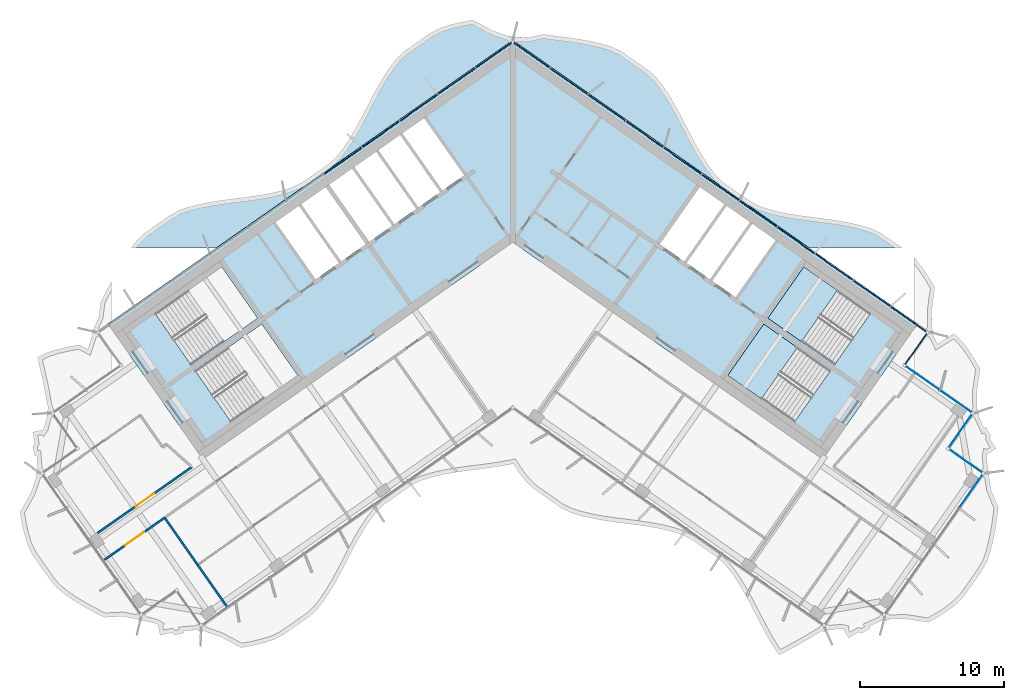
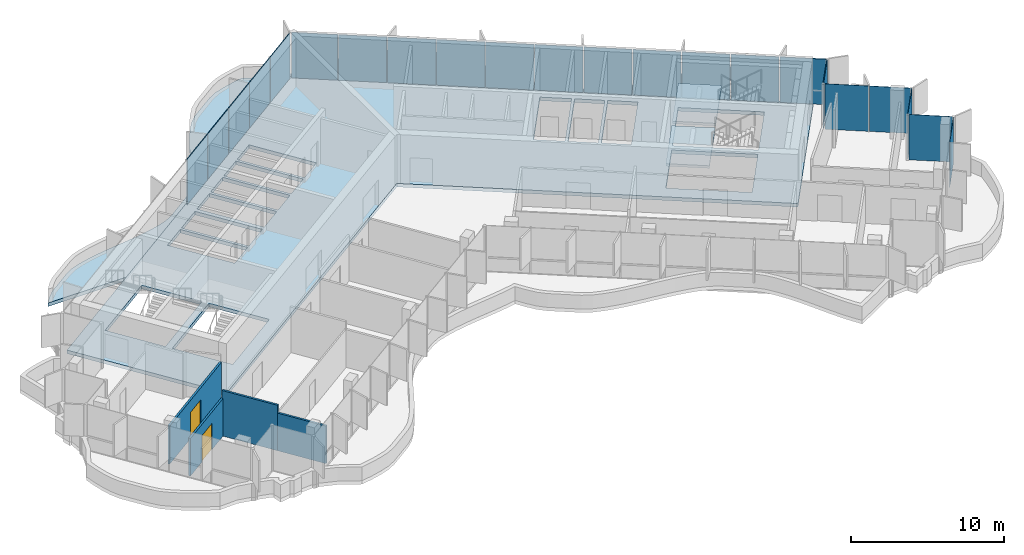
# One storey, part 10 of 20: 22 plates, 4 slabs, 4 walls, 2 doors, 2 openings, 4 elements without a shape of their own.
"""IFC4 building model written with IfcOpenShell, lengths in metres."""

from ifc_helpers import new_model, si_unit, direction, frame, frame_2d, origin, origin_2d, place, context, subcontext, project, spatial, polyline, rectangle, outline, extrude, material, layer, layer_set, type_object, element, fill, aggregate, save


model = new_model("IFC4")

# Units and contexts
model_context = context("Model", 3, precision=1e-05, world=origin(), true_north=direction((0.0, 1.0)))
body_context = subcontext(model_context, "Body", "Model", "MODEL_VIEW")
ifc_project = project(units=[si_unit("LENGTHUNIT", "METRE"), si_unit("AREAUNIT", "SQUARE_METRE"), si_unit("VOLUMEUNIT", "CUBIC_METRE"), si_unit("PLANEANGLEUNIT", "RADIAN"), si_unit("MASSUNIT", "GRAM", prefix="KILO")], contexts=[model_context])

# Site, building, storey
site_placement = place(None, origin())
site = spatial("IfcSite", under=ifc_project, at=site_placement, CompositionType="ELEMENT")
building_placement = place(site_placement, origin())
building = spatial("IfcBuilding", under=site, at=building_placement, Name="Tel Ilan Convention Tower", CompositionType="ELEMENT")
storey_placement = place(building_placement, frame((0.0, 0.0, 233.199951171875)))
storey = spatial("IfcBuildingStorey", under=building, at=storey_placement, Name="L54", CompositionType="ELEMENT", Elevation=233.199951171875)

# Curtain wall, plates
ifc_material_1 = material(Name="Aluminium, bronze anodised", Category="aluminium")
curtain_wall_type_1 = type_object("IfcCurtainWallType", Name="CW2 STICK CURTAIN WALL, SPANDREL PANELS", PredefinedType="NOTDEFINED", material=ifc_material_1)
curtain_wall_1_placement = place(storey_placement, origin())
curtain_wall_1 = element("IfcCurtainWall", 1, at=curtain_wall_1_placement, inside=storey, type_object=curtain_wall_type_1, Name="Curtain wall CW2-42.01", PredefinedType="NOTDEFINED")
ifc_material_2 = material(Name="Aluminium composite panel, bronze anodised", Category="aluminium")
ifc_layer_1 = layer(ifc_material_2, 0.06005859375)
ifc_layer_set_1 = layer_set([ifc_layer_1], Name="CW SPANDREL PANEL 60")
plate_type_1 = type_object("IfcPlateType", Name="CW SPANDREL PANEL 60", PredefinedType="CURTAIN_PANEL", material=ifc_layer_set_1)
plate_1_placement = place(storey_placement, frame((28.033935546875, -8.60546875, 0.0), z_axis=(0.0, 0.0, 1.0), x_axis=(0.573576436351, 0.819152044289, 0.0)))
plate_1 = element("IfcPlate", 2, at=plate_1_placement, type_object=plate_type_1, Name="Spandrel panel", PredefinedType="CURTAIN_PANEL", context=body_context, shape_type="SweptSolid", body=[
    extrude(rectangle(XDim=2.658935546875, YDim=0.06005859375, at=origin_2d()), origin(), (0.0, 0.0, 1.0), 3.6201171875),
])
plate_2_placement = place(storey_placement, frame((27.5400390625, -6.587646484375, 0.0), z_axis=(0.0, 0.0, 1.0), x_axis=(-0.819152044289, 0.573576436351, 0.0)))
plate_2 = element("IfcPlate", 3, at=plate_2_placement, type_object=plate_type_1, Name="Spandrel panel", PredefinedType="CURTAIN_PANEL", context=body_context, shape_type="SweptSolid", body=[
    extrude(rectangle(XDim=3.0439453125, YDim=0.06005859375, at=origin_2d()), origin(), (0.0, 0.0, 1.0), 3.6201171875),
])
plate_3_placement = place(storey_placement, frame((24.95263671875, -4.77587890625, 0.0), z_axis=(0.0, 0.0, 1.0), x_axis=(-0.819152044289, 0.573576436351, 0.0)))
plate_3 = element("IfcPlate", 4, at=plate_3_placement, type_object=plate_type_1, Name="Spandrel panel", PredefinedType="CURTAIN_PANEL", context=body_context, shape_type="SweptSolid", body=[
    extrude(rectangle(XDim=3.15380859375, YDim=0.06005859375, at=origin_2d()), origin(), (0.0, 0.0, 1.0), 3.6201171875),
])
plate_4_placement = place(storey_placement, frame((22.31982421875, -2.9326171875, 0.0), z_axis=(0.0, 0.0, 1.0), x_axis=(-0.819152044289, 0.573576436351, 0.0)))
plate_4 = element("IfcPlate", 5, at=plate_4_placement, type_object=plate_type_1, Name="Spandrel panel", PredefinedType="CURTAIN_PANEL", context=body_context, shape_type="SweptSolid", body=[
    extrude(rectangle(XDim=3.15380859375, YDim=0.06005859375, at=origin_2d()), origin(), (0.0, 0.0, 1.0), 3.6201171875),
])
plate_5_placement = place(storey_placement, frame((19.687255859375, -1.089111328125, 0.0), z_axis=(0.0, 0.0, 1.0), x_axis=(-0.819152044289, 0.573576436351, 0.0)))
plate_5 = element("IfcPlate", 6, at=plate_5_placement, type_object=plate_type_1, Name="Spandrel panel", PredefinedType="CURTAIN_PANEL", context=body_context, shape_type="SweptSolid", body=[
    extrude(rectangle(XDim=3.15380859375, YDim=0.06005859375, at=origin_2d()), origin(), (0.0, 0.0, 1.0), 3.6201171875),
])
plate_6_placement = place(storey_placement, frame((17.0546875, 0.754150390625, 0.0), z_axis=(0.0, 0.0, 1.0), x_axis=(-0.819152044289, 0.573576436351, 0.0)))
plate_6 = element("IfcPlate", 7, at=plate_6_placement, type_object=plate_type_1, Name="Spandrel panel", PredefinedType="CURTAIN_PANEL", context=body_context, shape_type="SweptSolid", body=[
    extrude(rectangle(XDim=3.15380859375, YDim=0.06005859375, at=origin_2d()), origin(), (0.0, 0.0, 1.0), 3.6201171875),
])
plate_7_placement = place(storey_placement, frame((14.422119140625, 2.59765625, 0.0), z_axis=(0.0, 0.0, 1.0), x_axis=(-0.819152044289, 0.573576436351, 0.0)))
plate_7 = element("IfcPlate", 8, at=plate_7_placement, type_object=plate_type_1, Name="Spandrel panel", PredefinedType="CURTAIN_PANEL", context=body_context, shape_type="SweptSolid", body=[
    extrude(rectangle(XDim=3.15380859375, YDim=0.06005859375, at=origin_2d()), origin(), (0.0, 0.0, 1.0), 3.6201171875),
])
plate_8_placement = place(storey_placement, frame((11.789306640625, 4.44091796875, 0.0), z_axis=(0.0, 0.0, 1.0), x_axis=(-0.819152044289, 0.573576436351, 0.0)))
plate_8 = element("IfcPlate", 9, at=plate_8_placement, type_object=plate_type_1, Name="Spandrel panel", PredefinedType="CURTAIN_PANEL", context=body_context, shape_type="SweptSolid", body=[
    extrude(rectangle(XDim=3.15380859375, YDim=0.06005859375, at=origin_2d()), origin(), (0.0, 0.0, 1.0), 3.6201171875),
])
plate_9_placement = place(storey_placement, frame((9.15673828125, 6.284423828125, 0.0), z_axis=(0.0, 0.0, 1.0), x_axis=(-0.819152044289, 0.573576436351, 0.0)))
plate_9 = element("IfcPlate", 10, at=plate_9_placement, type_object=plate_type_1, Name="Spandrel panel", PredefinedType="CURTAIN_PANEL", context=body_context, shape_type="SweptSolid", body=[
    extrude(rectangle(XDim=3.15380859375, YDim=0.06005859375, at=origin_2d()), origin(), (0.0, 0.0, 1.0), 3.6201171875),
])
plate_10_placement = place(storey_placement, frame((6.524169921875, 8.127685546875, 0.0), z_axis=(0.0, 0.0, 1.0), x_axis=(-0.819152044289, 0.573576436351, 0.0)))
plate_10 = element("IfcPlate", 11, at=plate_10_placement, type_object=plate_type_1, Name="Spandrel panel", PredefinedType="CURTAIN_PANEL", context=body_context, shape_type="SweptSolid", body=[
    extrude(rectangle(XDim=3.15380859375, YDim=0.06005859375, at=origin_2d()), origin(), (0.0, 0.0, 1.0), 3.6201171875),
])
plate_11_placement = place(storey_placement, frame((3.8916015625, 9.97119140625, 0.0), z_axis=(0.0, 0.0, 1.0), x_axis=(-0.819152044289, 0.573576436351, 0.0)))
plate_11 = element("IfcPlate", 12, at=plate_11_placement, type_object=plate_type_1, Name="Spandrel panel", PredefinedType="CURTAIN_PANEL", context=body_context, shape_type="SweptSolid", body=[
    extrude(rectangle(XDim=3.15380859375, YDim=0.06005859375, at=origin_2d()), origin(), (0.0, 0.0, 1.0), 3.6201171875),
])
plate_12_placement = place(storey_placement, frame((1.303955078125, 11.782958984375, 0.0), z_axis=(0.0, 0.0, 1.0), x_axis=(-0.819152044289, 0.573576436351, 0.0)))
plate_12 = element("IfcPlate", 13, at=plate_12_placement, type_object=plate_type_1, Name="Spandrel panel", PredefinedType="CURTAIN_PANEL", context=body_context, shape_type="SweptSolid", body=[
    extrude(rectangle(XDim=3.0439453125, YDim=0.06005859375, at=origin_2d()), origin(), (0.0, 0.0, 1.0), 3.6201171875),
])
plate_13_placement = place(storey_placement, frame((-1.303955078125, 11.782958984375, 0.0), z_axis=(0.0, 0.0, 1.0), x_axis=(-0.819152044289, -0.573576436351, 0.0)))
plate_13 = element("IfcPlate", 14, at=plate_13_placement, type_object=plate_type_1, Name="Spandrel panel", PredefinedType="CURTAIN_PANEL", context=body_context, shape_type="SweptSolid", body=[
    extrude(rectangle(XDim=3.0439453125, YDim=0.06005859375, at=origin_2d()), origin(), (0.0, 0.0, 1.0), 3.6201171875),
])
plate_14_placement = place(storey_placement, frame((-3.8916015625, 9.97119140625, 0.0), z_axis=(0.0, 0.0, 1.0), x_axis=(-0.819152044289, -0.573576436351, 0.0)))
plate_14 = element("IfcPlate", 15, at=plate_14_placement, type_object=plate_type_1, Name="Spandrel panel", PredefinedType="CURTAIN_PANEL", context=body_context, shape_type="SweptSolid", body=[
    extrude(rectangle(XDim=3.15380859375, YDim=0.06005859375, at=origin_2d()), origin(), (0.0, 0.0, 1.0), 3.6201171875),
])
plate_15_placement = place(storey_placement, frame((-6.524169921875, 8.127685546875, 0.0), z_axis=(0.0, 0.0, 1.0), x_axis=(-0.819152044289, -0.573576436351, 0.0)))
plate_15 = element("IfcPlate", 16, at=plate_15_placement, type_object=plate_type_1, Name="Spandrel panel", PredefinedType="CURTAIN_PANEL", context=body_context, shape_type="SweptSolid", body=[
    extrude(rectangle(XDim=3.15380859375, YDim=0.06005859375, at=origin_2d()), origin(), (0.0, 0.0, 1.0), 3.6201171875),
])
plate_16_placement = place(storey_placement, frame((-9.15673828125, 6.284423828125, 0.0), z_axis=(0.0, 0.0, 1.0), x_axis=(-0.819152044289, -0.573576436351, 0.0)))
plate_16 = element("IfcPlate", 17, at=plate_16_placement, type_object=plate_type_1, Name="Spandrel panel", PredefinedType="CURTAIN_PANEL", context=body_context, shape_type="SweptSolid", body=[
    extrude(rectangle(XDim=3.15380859375, YDim=0.06005859375, at=origin_2d()), origin(), (0.0, 0.0, 1.0), 3.6201171875),
])
plate_17_placement = place(storey_placement, frame((-11.789306640625, 4.44091796875, 0.0), z_axis=(0.0, 0.0, 1.0), x_axis=(-0.819152044289, -0.573576436351, 0.0)))
plate_17 = element("IfcPlate", 18, at=plate_17_placement, type_object=plate_type_1, Name="Spandrel panel", PredefinedType="CURTAIN_PANEL", context=body_context, shape_type="SweptSolid", body=[
    extrude(rectangle(XDim=3.15380859375, YDim=0.06005859375, at=origin_2d()), origin(), (0.0, 0.0, 1.0), 3.6201171875),
])
aggregate(curtain_wall_1, [plate_1, plate_2, plate_3, plate_4, plate_5, plate_6, plate_7, plate_8, plate_9, plate_10, plate_11, plate_12, plate_13, plate_14, plate_15, plate_16, plate_17])

ifc_material_3 = material(Name="Aluminium, bronze anodised", Category="aluminium")
curtain_wall_type_2 = type_object("IfcCurtainWallType", Name="CW5 STICK CURTAIN WALL, UPPER OFFICE LOW-IRON TINTED GLASS", PredefinedType="NOTDEFINED", material=ifc_material_3)
curtain_wall_2_placement = place(storey_placement, origin())
curtain_wall_2 = element("IfcCurtainWall", 19, at=curtain_wall_2_placement, inside=storey, type_object=curtain_wall_type_2, Name="Curtain wall CW5-42.02", PredefinedType="NOTDEFINED")
ifc_material_4 = material(Name="Glass, low-iron bronze tinted, two-ply", Category="glass")
ifc_layer_2 = layer(ifc_material_4, 0.031982421875)
ifc_layer_set_2 = layer_set([ifc_layer_2], Name="CW UPPER GLASS PANEL 32")
plate_type_2 = type_object("IfcPlateType", Name="CW UPPER GLASS PANEL 32", PredefinedType="CURTAIN_PANEL", material=ifc_layer_set_2)
plate_18_placement = place(storey_placement, frame((31.85693359375, -18.488037109375, 0.0), z_axis=(0.0, 0.0, 1.0), x_axis=(0.573576436351, 0.819152044289, 0.0)))
plate_18 = element("IfcPlate", 20, at=plate_18_placement, type_object=plate_type_2, Name="Glass panel", PredefinedType="CURTAIN_PANEL", context=body_context, shape_type="SweptSolid", body=[
    extrude(rectangle(XDim=2.89599609375, YDim=0.028076171875, at=origin_2d()), origin(), (0.0, 0.0, 1.0), 3.6201171875),
])
plate_19_placement = place(storey_placement, frame((31.504150390625, -16.44384765625, 0.0), z_axis=(0.0, 0.0, 1.0), x_axis=(-0.819152044289, 0.573576436351, 0.0)))
plate_19 = element("IfcPlate", 21, at=plate_19_placement, type_object=plate_type_2, Name="Glass panel", PredefinedType="CURTAIN_PANEL", context=body_context, shape_type="SweptSolid", body=[
    extrude(rectangle(XDim=2.875, YDim=0.028076171875, at=origin_2d()), origin(), (0.0, 0.0, 1.0), 3.6201171875),
])
plate_20_placement = place(storey_placement, frame((31.126220703125, -14.30126953125, 0.0), z_axis=(0.0, 0.0, 1.0), x_axis=(0.573576436351, 0.819152044289, 0.0)))
plate_20 = element("IfcPlate", 22, at=plate_20_placement, type_object=plate_type_2, Name="Glass panel", PredefinedType="CURTAIN_PANEL", context=body_context, shape_type="SweptSolid", body=[
    extrude(rectangle(XDim=2.875, YDim=0.028076171875, at=origin_2d()), origin(), (0.0, 0.0, 1.0), 3.6201171875),
])
plate_21_placement = place(storey_placement, frame((30.8203125, -12.302734375, 0.0), z_axis=(0.0, 0.0, 1.0), x_axis=(-0.819152044289, 0.573576436351, 0.0)))
plate_21 = element("IfcPlate", 23, at=plate_21_placement, type_object=plate_type_2, Name="Glass panel", PredefinedType="CURTAIN_PANEL", context=body_context, shape_type="SweptSolid", body=[
    extrude(rectangle(XDim=2.74609375, YDim=0.028076171875, at=origin_2d()), origin(), (0.0, 0.0, 1.0), 3.6201171875),
])
plate_22_placement = place(storey_placement, frame((28.471435546875, -10.657958984375, 0.0), z_axis=(0.0, 0.0, 1.0), x_axis=(-0.819152044289, 0.573576436351, 0.0)))
plate_22 = element("IfcPlate", 24, at=plate_22_placement, type_object=plate_type_2, Name="Glass panel", PredefinedType="CURTAIN_PANEL", context=body_context, shape_type="SweptSolid", body=[
    extrude(rectangle(XDim=2.868896484375, YDim=0.028076171875, at=origin_2d()), origin(), (0.0, 0.0, 1.0), 3.6201171875),
])
aggregate(curtain_wall_2, [plate_18, plate_19, plate_20, plate_21, plate_22])

# Stair, slab
ifc_material_5 = material(Name="Concrete C40/50", Category="concrete")
stair_type = type_object("IfcStairType", Name="Pressurised Exit Stair 22 risers 177 mm", PredefinedType="HALF_TURN_STAIR", material=ifc_material_5)
stair_1_placement = place(storey_placement, origin())
stair_1 = element("IfcStair", 25, at=stair_1_placement, inside=storey, type_object=stair_type, Name="L54 Pressurised Stair S3", PredefinedType="HALF_TURN_STAIR")
ifc_material_6 = material(Name="Concrete C40/50", Category="concrete")
ifc_layer_3 = layer(ifc_material_6, 0.199951171875)
ifc_layer_set_3 = layer_set([ifc_layer_3], Name="Concrete Stair Landing 200 mm C40/50")
slab_type_1 = type_object("IfcSlabType", Name="Concrete Stair Landing 200 mm", PredefinedType="LANDING", material=ifc_layer_set_3)
slab_1_placement = place(storey_placement, frame((0.0, 0.0, 1.75)))
slab_1 = element("IfcSlab", 26, at=slab_1_placement, type_object=slab_type_1, Name="S3 landing 1", PredefinedType="LANDING", context=body_context, shape_type="SweptSolid", body=[
    extrude(outline(polyline([(22.561767578125, -4.566650390625), (20.226318359375, -2.931640625), (17.7314453125, -6.494873046875), (20.066650390625, -8.130126953125), (22.561767578125, -4.566650390625)])), origin(), (0.0, 0.0, 1.0), 0.199951171875),
])
aggregate(stair_1, [slab_1])

stair_2_placement = place(storey_placement, origin())
stair_2 = element("IfcStair", 27, at=stair_2_placement, inside=storey, type_object=stair_type, Name="L54 Pressurised Stair S4", PredefinedType="HALF_TURN_STAIR")
slab_2_placement = place(storey_placement, frame((0.0, 0.0, 1.75)))
slab_2 = element("IfcSlab", 28, at=slab_2_placement, type_object=slab_type_1, Name="S4 landing 1", PredefinedType="LANDING", context=body_context, shape_type="SweptSolid", body=[
    extrude(outline(polyline([(19.77978515625, -8.53955078125), (17.444580078125, -6.904541015625), (14.949462890625, -10.4677734375), (17.28466796875, -12.10302734375), (19.77978515625, -8.53955078125)])), origin(), (0.0, 0.0, 1.0), 0.199951171875),
])
aggregate(stair_2, [slab_2])

# Slabs
ifc_material_7 = material(Name="Concrete C40/50", Category="concrete")
ifc_layer_4 = layer(ifc_material_7, 0.280029296875)
ifc_layer_set_4 = layer_set([ifc_layer_4], Name="Core Floor Slab 280 mm C40/50")
slab_type_2 = type_object("IfcSlabType", Name="Core Floor Slab 280 mm C40/50", PredefinedType="FLOOR", material=ifc_layer_set_4)
slab_3_placement = place(storey_placement, frame((0.0, 0.0, -0.280029296875)))
element("IfcSlab", 29, at=slab_3_placement, inside=storey, type_object=slab_type_2, Name="L54 core floor 1", PredefinedType="FLOOR", context=body_context, shape_type="SweptSolid", body=[
    extrude(outline(polyline([(-28.1396484375, -6.885498046875), (0.0, 12.818115234375), (28.1396484375, -6.885498046875), (21.54345703125, -16.3056640625), (0.0, -1.220703125), (-21.54345703125, -16.3056640625), (-28.1396484375, -6.885498046875)]), holes=[polyline([(-17.444580078125, -6.904541015625), (-22.072021484375, -10.144775390625), (-19.5771484375, -13.7080078125), (-14.949462890625, -10.4677734375), (-17.444580078125, -6.904541015625)]), polyline([(-17.7314453125, -6.494873046875), (-20.226318359375, -2.931640625), (-24.85400390625, -6.171875), (-22.35888671875, -9.735107421875), (-17.7314453125, -6.494873046875)]), polyline([(-14.864990234375, 1.310791015625), (-16.48291015625, 0.177978515625), (-13.701171875, -3.794921875), (-12.083251953125, -2.662109375), (-14.864990234375, 1.310791015625)]), polyline([(-14.701416015625, 1.425537109375), (-11.91943359375, -2.54736328125), (-10.2197265625, -1.357421875), (-13.001708984375, 2.615478515625), (-14.701416015625, 1.425537109375)]), polyline([(-11.168701171875, 3.89892578125), (-12.755859375, 2.78759765625), (-9.97412109375, -1.185302734375), (-8.386962890625, -0.073974609375), (-11.168701171875, 3.89892578125)]), polyline([(-9.499755859375, 5.067626953125), (-11.0048828125, 4.013671875), (-8.222900390625, 0.040771484375), (-6.718017578125, 1.0947265625), (-9.499755859375, 5.067626953125)]), polyline([(-9.3359375, 5.182373046875), (-6.553955078125, 1.20947265625), (-5.048828125, 2.263427734375), (-7.830810546875, 6.236328125), (-9.3359375, 5.182373046875)]), polyline([(17.444580078125, -6.904541015625), (14.949462890625, -10.4677734375), (19.5771484375, -13.7080078125), (22.072021484375, -10.144775390625), (17.444580078125, -6.904541015625)]), polyline([(20.226318359375, -2.931640625), (17.7314453125, -6.494873046875), (22.35888671875, -9.735107421875), (24.85400390625, -6.171875), (20.226318359375, -2.931640625)]), polyline([(15.48291015625, -5.04248046875), (18.2646484375, -1.069580078125), (16.646728515625, 0.063232421875), (13.864990234375, -3.90966796875), (15.48291015625, -5.04248046875)]), polyline([(13.701171875, -3.794921875), (16.48291015625, 0.177978515625), (14.864990234375, 1.310791015625), (12.083251953125, -2.662109375), (13.701171875, -3.794921875)]), polyline([(11.91943359375, -2.54736328125), (14.701416015625, 1.425537109375), (13.001708984375, 2.615478515625), (10.2197265625, -1.357421875), (11.91943359375, -2.54736328125)]), polyline([(-6.16162109375, 7.405029296875), (-7.666748046875, 6.35107421875), (-4.885009765625, 2.378173828125), (-3.3798828125, 3.43212890625), (-6.16162109375, 7.405029296875)])]), origin(), (0.0, 0.0, 1.0), 0.280029296875),
])
ifc_material_8 = material(Name="Concrete C40/50", Category="concrete")
ifc_layer_5 = layer(ifc_material_8, 0.280029296875)
ifc_layer_set_5 = layer_set([ifc_layer_5], Name="Edge Ledge Slab 280 mm C40/50")
slab_type_3 = type_object("IfcSlabType", Name="Edge Ledge Slab 280 mm C40/50", PredefinedType="FLOOR", material=ifc_layer_set_5)
slab_4_placement = place(storey_placement, frame((0.0, 0.0, -0.280029296875)))
element("IfcSlab", 30, at=slab_4_placement, inside=storey, type_object=slab_type_3, Name="L54 edge ledge 2", PredefinedType="FLOOR", context=body_context, shape_type="SweptSolid", body=[
    extrude(outline(polyline([(-23.1982421875, 1.006591796875), (-22.4697265625, 1.250244140625), (-21.705322265625, 1.44287109375), (-20.91259765625, 1.594482421875), (-20.099365234375, 1.71728515625), (-19.275146484375, 1.824462890625), (-18.44970703125, 1.9296875), (-17.6328125, 2.047119140625), (-16.833984375, 2.18994140625), (-16.0615234375, 2.37109375), (-15.3232421875, 2.6005859375), (-14.651611328125, 2.92529296875), (-12.841552734375, 4.192626953125), (-12.284912109375, 4.681640625), (-11.809326171875, 5.28662109375), (-11.369140625, 5.94189453125), (-10.956787109375, 6.63720703125), (-10.564453125, 7.36083984375), (-10.182373046875, 8.09912109375), (-9.80078125, 8.83837890625), (-9.410400390625, 9.564697265625), (-9.001220703125, 10.264404296875), (-8.56494140625, 10.925537109375), (-8.094482421875, 11.53759765625), (-7.552001953125, 12.047119140625), (-5.7421875, 13.314208984375), (-5.0849609375, 13.66015625), (-4.3515625, 13.896484375), (-3.5830078125, 14.083251953125), (-2.785888671875, 14.228515625), (-1.357666015625, 13.472900390625), (-0.172119140625, 13.06396484375), (-0.168701171875, 13.05908203125), (-0.11474609375, 13.09521484375), (0.0, 13.1181640625), (0.11474609375, 13.09521484375), (0.168701171875, 13.05908203125), (0.172119140625, 13.06396484375), (1.02001953125, 12.99072265625), (2.08935546875, 13.234130859375), (2.913818359375, 13.12744140625), (3.739501953125, 13.0224609375), (4.55712890625, 12.90625), (5.357666015625, 12.765380859375), (6.132080078125, 12.587158203125), (6.872802734375, 12.361083984375), (7.552001953125, 12.047119140625), (9.36181640625, 10.77978515625), (9.925537109375, 10.300537109375), (10.403564453125, 9.69921875), (10.845947265625, 9.046875), (11.259521484375, 8.353515625), (11.653076171875, 7.631591796875), (12.035400390625, 6.893798828125), (12.416748046875, 6.154052734375), (12.806396484375, 5.426513671875), (13.214111328125, 4.724609375), (13.648193359375, 4.060791015625), (14.116455078125, 3.4453125), (14.651611328125, 2.92529296875), (15.2548828125, 2.502685546875), (16.46142578125, 1.657958984375), (17.111328125, 1.30224609375), (17.84228515625, 1.062255859375), (18.60888671875, 0.87255859375), (19.4033203125, 0.72314453125), (20.21728515625, 0.601806640625), (21.0419921875, 0.495361328125), (21.8671875, 0.3896484375), (22.68310546875, 0.27099609375), (23.480712890625, 0.1259765625), (24.2509765625, -0.057861328125), (24.987060546875, -0.290771484375), (25.6513671875, -0.626220703125), (27.087158203125, -1.631591796875), (20.63623046875, -1.631591796875), (0.0, 12.818115234375), (-20.63623046875, -1.631591796875), (-26.535888671875, -1.631591796875), (-26.1787109375, -1.156982421875), (-25.6513671875, -0.626220703125), (-23.84130859375, 0.64111328125), (-23.1982421875, 1.006591796875)])), origin(), (0.0, 0.0, 1.0), 0.280029296875),
])

# Wall, opening, door
ifc_material_9 = material(Name="Plasterboard on Steel Studs", Category="steel")
ifc_layer_6 = layer(ifc_material_9, 0.14990234375)
ifc_layer_set_6 = layer_set([ifc_layer_6], Name="Fire-rated Partition 150 EI 60")
wall_type = type_object("IfcWallType", Name="Fire-rated Partition 150 EI 60", PredefinedType="PARTITIONING", material=ifc_layer_set_6)
wall_1_placement = place(storey_placement, frame((-28.858154296875, -21.428466796875, 0.0), z_axis=(0.0, 0.0, 1.0), x_axis=(0.819138799838, 0.573595350923, 0.0)))
wall_1 = element("IfcWall", 31, at=wall_1_placement, inside=storey, type_object=wall_type, Name="Partition 007", PredefinedType="PARTITIONING", context=body_context, shape_type="SweptSolid", body=[
    extrude(rectangle(XDim=8.007080078125, YDim=0.14990234375, at=frame_2d((4.00341796875, 0.0))), origin(), (0.0, 0.0, 1.0), 3.050048828125),
])
opening_1_placement = place(wall_1_placement, frame((3.20361328125, 0.0, 0.0)))
opening_1 = element("IfcOpeningElement", 32, at=opening_1_placement, cuts=wall_1, Name="Opening L53-007", PredefinedType="OPENING", context=body_context, shape_type="SweptSolid", body=[
    extrude(rectangle(XDim=1.60009765625, YDim=2.10009765625, at=frame_2d((0.800048828125, 1.050048828125))), frame((0.0, 0.0849609375, 0.0), z_axis=(0.0, -1.0, 0.0), x_axis=(1.0, 0.0, 0.0)), (0.0, 0.0, 1.0), 0.169921875),
])
ifc_material_10 = material(Name="Timber Door Leaf in Steel Frame", Category="steel")
door_type = type_object("IfcDoorType", Name="Tenant Suite Entrance Fire Door 1600x2100", OperationType="NOTDEFINED", PredefinedType="DOOR", material=ifc_material_10)
door_1_placement = place(opening_1_placement, origin())
door_1 = element("IfcDoor", 33, at=door_1_placement, inside=storey, type_object=door_type, Name="Door L53-007", OperationType="DOUBLE_DOOR_SINGLE_SWING", OverallHeight=2.10009765625, OverallWidth=1.60009765625, PredefinedType="DOOR", context=body_context, shape_type="SweptSolid", body=[
    extrude(rectangle(XDim=1.60009765625, YDim=2.10009765625, at=frame_2d((0.800048828125, 1.050048828125))), frame((0.0, 0.02490234375, 0.0), z_axis=(0.0, -1.0, 0.0), x_axis=(1.0, 0.0, 0.0)), (0.0, 0.0, 1.0), 0.050048828125),
])
fill(opening_1, door_1)

wall_2_placement = place(storey_placement, frame((-24.19580078125, -20.360107421875, 0.0), z_axis=(0.0, 0.0, 1.0), x_axis=(-0.819132992492, -0.573603644176, 0.0)))
wall_2 = element("IfcWall", 34, at=wall_2_placement, inside=storey, type_object=wall_type, Name="Partition 012", PredefinedType="PARTITIONING", context=body_context, shape_type="SweptSolid", body=[
    extrude(rectangle(XDim=5.10205078125, YDim=0.14990234375, at=frame_2d((2.551025390625, 0.0))), origin(), (0.0, 0.0, 1.0), 3.0),
])
opening_2_placement = place(wall_2_placement, frame((1.7509765625, 0.0, 0.0)))
opening_2 = element("IfcOpeningElement", 35, at=opening_2_placement, cuts=wall_2, Name="Opening L53-006", PredefinedType="OPENING", context=body_context, shape_type="SweptSolid", body=[
    extrude(rectangle(XDim=1.60009765625, YDim=2.10009765625, at=frame_2d((0.800048828125, 1.050048828125))), frame((0.0, 0.0849609375, 0.0), z_axis=(0.0, -1.0, 0.0), x_axis=(1.0, 0.0, 0.0)), (0.0, 0.0, 1.0), 0.169921875),
])
door_2_placement = place(opening_2_placement, origin())
door_2 = element("IfcDoor", 36, at=door_2_placement, inside=storey, type_object=door_type, Name="Door L53-006", OperationType="DOUBLE_DOOR_SINGLE_SWING", OverallHeight=2.10009765625, OverallWidth=1.60009765625, PredefinedType="DOOR", context=body_context, shape_type="SweptSolid", body=[
    extrude(rectangle(XDim=1.60009765625, YDim=2.10009765625, at=frame_2d((0.800048828125, 1.050048828125))), frame((0.0, 0.02490234375, 0.0), z_axis=(0.0, -1.0, 0.0), x_axis=(1.0, 0.0, 0.0)), (0.0, 0.0, 1.0), 0.050048828125),
])
fill(opening_2, door_2)

# Walls
wall_3_placement = place(storey_placement, frame((-19.8955078125, -26.5048828125, 0.0), z_axis=(0.0, 0.0, 1.0), x_axis=(-0.573555999232, 0.819166354134, 0.0)))
element("IfcWall", 37, at=wall_3_placement, inside=storey, type_object=wall_type, Name="Partition 035", PredefinedType="PARTITIONING", context=body_context, shape_type="SweptSolid", body=[
    extrude(rectangle(XDim=3.4990234375, YDim=0.14990234375, at=frame_2d((1.74951171875, 0.0))), origin(), (0.0, 0.0, 1.0), 3.0),
])
wall_4_placement = place(storey_placement, frame((-21.903076171875, -23.637939453125, 0.0), z_axis=(0.0, 0.0, 1.0), x_axis=(-0.573556557423, 0.819165963305, 0.0)))
element("IfcWall", 38, at=wall_4_placement, inside=storey, type_object=wall_type, Name="Partition 036", PredefinedType="PARTITIONING", context=body_context, shape_type="SweptSolid", body=[
    extrude(rectangle(XDim=4.0, YDim=0.14990234375, at=frame_2d((2.0, 0.0))), origin(), (0.0, 0.0, 1.0), 3.6201171875),
])

save(model, "model.ifc")
